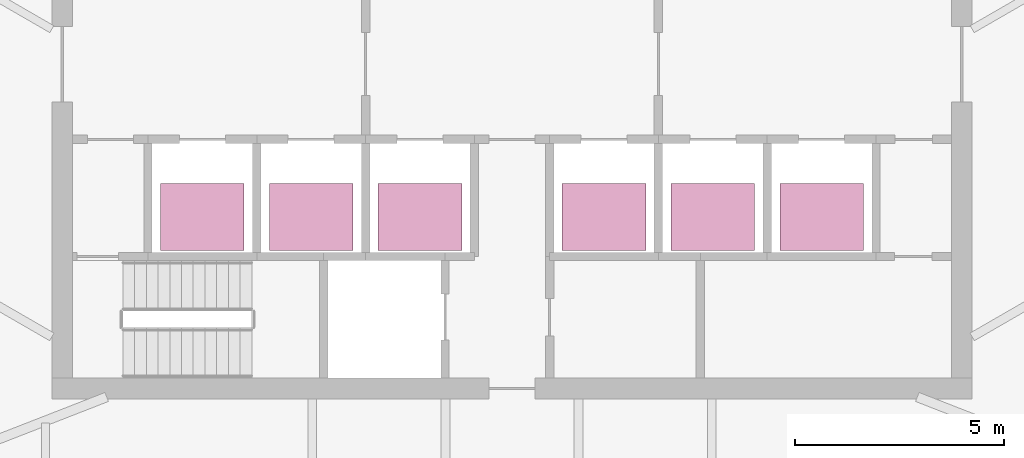
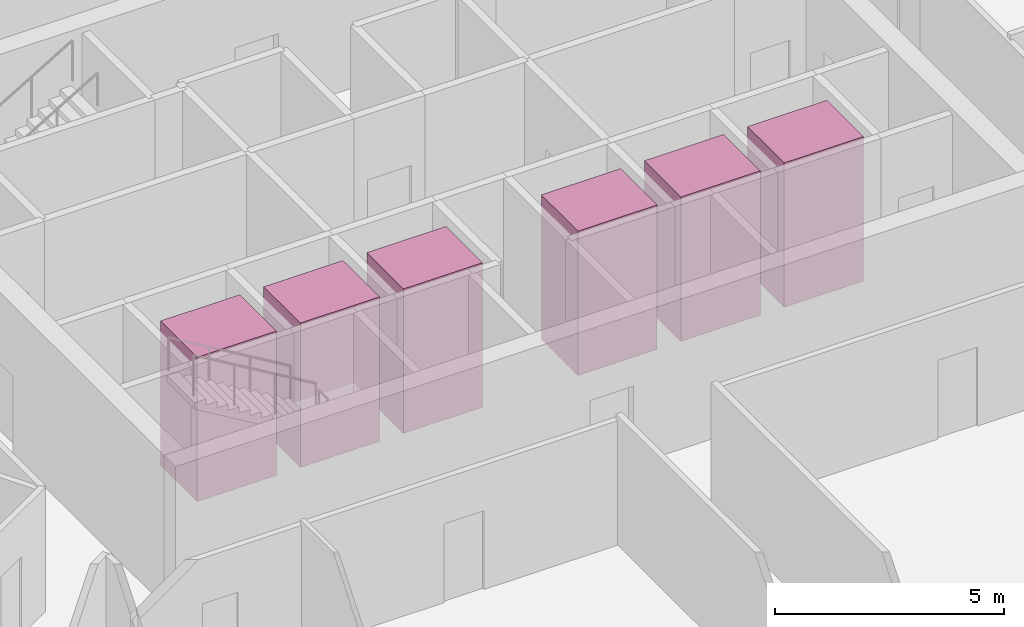
# One storey, part 19 of 19: 6 transport elements.
"""IFC4 building model written with IfcOpenShell, lengths in metres."""

from ifc_helpers import new_model, si_unit, direction, frame, origin, origin_2d, place, context, subcontext, project, spatial, rectangle, extrude, material, type_object, element, save


model = new_model("IFC4")

# Units and contexts
model_context = context("Model", 3, precision=1e-05, world=origin(), true_north=direction((0.0, 1.0)))
body_context = subcontext(model_context, "Body", "Model", "MODEL_VIEW")
ifc_project = project(units=[si_unit("LENGTHUNIT", "METRE"), si_unit("AREAUNIT", "SQUARE_METRE"), si_unit("VOLUMEUNIT", "CUBIC_METRE"), si_unit("PLANEANGLEUNIT", "RADIAN"), si_unit("MASSUNIT", "GRAM", prefix="KILO")], contexts=[model_context])

# Site, building, storey
site_placement = place(None, origin())
site = spatial("IfcSite", under=ifc_project, at=site_placement, CompositionType="ELEMENT")
building_placement = place(site_placement, origin())
building = spatial("IfcBuilding", under=site, at=building_placement, Name="Sierra Prisma Convention Tower", CompositionType="ELEMENT")
storey_placement = place(building_placement, frame((0.0, 0.0, 231.0)))
storey = spatial("IfcBuildingStorey", under=building, at=storey_placement, Name="L51", CompositionType="ELEMENT", Elevation=231.0)

# Transport elements
ifc_material = material(Name="Stainless steel", Category="steel")
transport_element_type = type_object("IfcTransportElementType", Name="Lift car office high 2000x1600 1600 kg", PredefinedType="ELEVATOR", material=ifc_material)
for number, where, z_axis, x_axis, name in (
    (1, (-7.39990234375, -3.64990234375, 0.0), (0.0, 0.0, 1.0), (1.0, 0.0, 0.0), "Lift OH1"),
    (2, (-4.800048828125, -3.64990234375, 0.0), (0.0, 0.0, 1.0), (1.0, 0.0, 0.0), "Lift OH2"),
    (3, (-2.199951171875, -3.64990234375, 0.0), (0.0, 0.0, 1.0), (1.0, 0.0, 0.0), "Lift OH3"),
    (4, (2.199951171875, -3.64990234375, 0.0), (0.0, 0.0, 1.0), (1.0, 0.0, 0.0), "Lift OH4"),
    (5, (4.800048828125, -3.64990234375, 0.0), (0.0, 0.0, 1.0), (1.0, 0.0, 0.0), "Lift OH5"),
    (6, (7.39990234375, -3.64990234375, 0.0), (0.0, 0.0, 1.0), (1.0, 0.0, 0.0), "Lift OH6"),
):
    element("IfcTransportElement", number, at=place(storey_placement, frame(where, z_axis=z_axis, x_axis=x_axis)), inside=storey, type_object=transport_element_type, Name=name, PredefinedType="ELEVATOR", context=body_context, shape_type="SweptSolid", body=[
        extrude(rectangle(XDim=2.0, YDim=1.60009765625, at=origin_2d()), origin(), (0.0, 0.0, 1.0), 3.85009765625),
    ])

save(model, "model.ifc")
